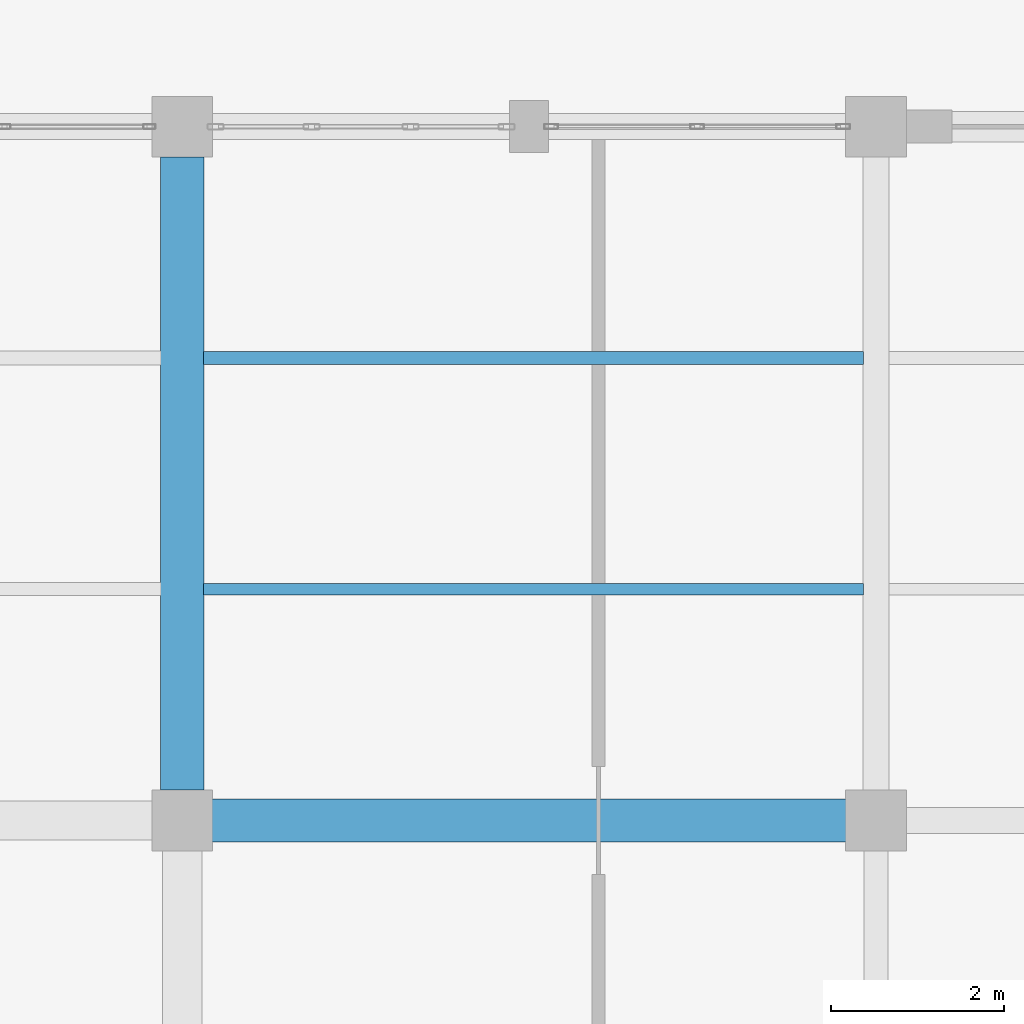
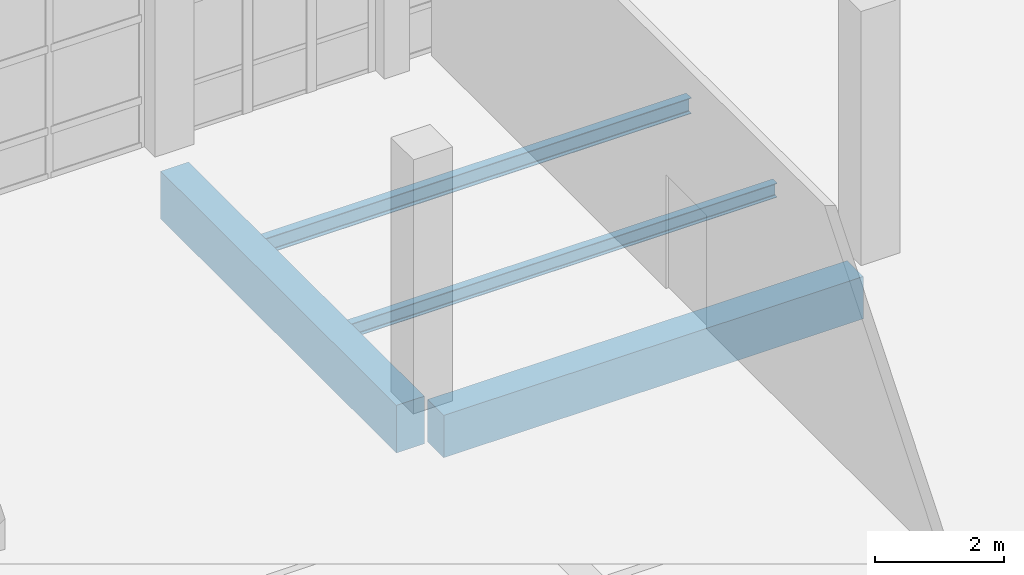
# One storey, part 11 of 156: 4 beams.
"""IFC4 building model written with IfcOpenShell, lengths in metres."""

from ifc_helpers import new_model, si_unit, direction, frame, origin, origin_2d, place, context, subcontext, project, spatial, rectangle, i_section, extrude, material, material_profile, profile_set, type_object, element, save


model = new_model("IFC4")

# Units and contexts
model_context = context("Model", 3, precision=1e-05, world=origin(), true_north=direction((0.0, 1.0)))
body_context = subcontext(model_context, "Body", "Model", "MODEL_VIEW")
ifc_project = project(units=[si_unit("LENGTHUNIT", "METRE"), si_unit("AREAUNIT", "SQUARE_METRE"), si_unit("VOLUMEUNIT", "CUBIC_METRE"), si_unit("PLANEANGLEUNIT", "RADIAN"), si_unit("MASSUNIT", "GRAM", prefix="KILO")], contexts=[model_context])

# Site, building, storey
site_placement = place(None, origin())
site = spatial("IfcSite", under=ifc_project, at=site_placement, CompositionType="ELEMENT")
building_placement = place(site_placement, origin())
building = spatial("IfcBuilding", under=site, at=building_placement, Name="Luwemba Playhouse", CompositionType="ELEMENT")
storey_placement = place(building_placement, origin())
storey = spatial("IfcBuildingStorey", under=building, at=storey_placement, Name="L00", CompositionType="ELEMENT", Elevation=0.0)

# Beams
ifc_material_1 = material(Name="Concrete C40/50", Category="concrete")
ifc_material_profile_1 = material_profile(ifc_material_1, rectangle(XDim=0.5, YDim=0.800048828125, at=origin_2d()))
ifc_profile_set_1 = profile_set([ifc_material_profile_1], Name="Concrete C40/50")
beam_type_1 = type_object("IfcBeamType", Name="BM-RB06", PredefinedType="BEAM", material=ifc_profile_set_1)
beam_1_placement = place(storey_placement, frame((12.25, 19.0, -0.699951171875), z_axis=(1.0, 0.0, 0.0), x_axis=(0.0, 1.0, 0.0)))
element("IfcBeam", 1, at=beam_1_placement, inside=storey, type_object=beam_type_1, Name="L00 grid girder 0165", PredefinedType="BEAM", context=body_context, shape_type="SweptSolid", body=[
    extrude(rectangle(XDim=0.5, YDim=0.800048828125, at=origin_2d()), origin(), (0.0, 0.0, 1.0), 7.5),
])
ifc_material_profile_2 = material_profile(ifc_material_1, rectangle(XDim=0.5, YDim=0.89990234375, at=origin_2d()))
ifc_profile_set_2 = profile_set([ifc_material_profile_2], Name="Concrete C40/50")
beam_type_2 = type_object("IfcBeamType", Name="BM-RB07", PredefinedType="BEAM", material=ifc_profile_set_2)
beam_2_placement = place(storey_placement, frame((12.0, 19.35009765625, -0.75), z_axis=(0.0, 1.0, 0.0), x_axis=(-1.0, 0.0, 0.0)))
element("IfcBeam", 2, at=beam_2_placement, inside=storey, type_object=beam_type_2, Name="L00 transverse girder 0183", PredefinedType="BEAM", context=body_context, shape_type="SweptSolid", body=[
    extrude(rectangle(XDim=0.5, YDim=0.89990234375, at=origin_2d()), origin(), (0.0, 0.0, 1.0), 7.2998046875),
])
ifc_material_2 = material(Name="Steel S355", Category="steel")
ifc_material_profile_3 = material_profile(ifc_material_2, i_section(OverallWidth=0.135009765625, OverallDepth=0.27001953125, WebThickness=0.006591796875, FlangeThickness=0.01025390625, FilletRadius=0.014892578125, at=origin_2d()))
ifc_profile_set_3 = profile_set([ifc_material_profile_3], Name="Steel S355")
beam_type_3 = type_object("IfcBeamType", Name="BM-SJ04", PredefinedType="JOIST", material=ifc_profile_set_3)
beam_3_placement = place(storey_placement, frame((12.24609375, 21.666748046875, -0.43505859375), z_axis=(1.0, 0.0, 0.0), x_axis=(0.0, 1.0, 0.0)))
element("IfcBeam", 3, at=beam_3_placement, inside=storey, type_object=beam_type_3, Name="L00 composite floor joist 0126", PredefinedType="JOIST", context=body_context, shape_type="SweptSolid", body=[
    extrude(i_section(OverallWidth=0.135009765625, OverallDepth=0.27001953125, WebThickness=0.006591796875, FlangeThickness=0.01025390625, FilletRadius=0.014892578125, at=origin_2d()), origin(), (0.0, 0.0, 1.0), 7.60791015625),
])
ifc_material_profile_4 = material_profile(ifc_material_2, i_section(OverallWidth=0.14990234375, OverallDepth=0.300048828125, WebThickness=0.007080078125, FlangeThickness=0.0107421875, FilletRadius=0.014892578125, at=origin_2d()))
ifc_profile_set_4 = profile_set([ifc_material_profile_4], Name="Steel S355")
beam_type_4 = type_object("IfcBeamType", Name="BM-SJ05", PredefinedType="JOIST", material=ifc_profile_set_4)
beam_4_placement = place(storey_placement, frame((12.24609375, 24.333251953125, -0.449951171875), z_axis=(1.0, 0.0, 0.0), x_axis=(0.0, 1.0, 0.0)))
element("IfcBeam", 4, at=beam_4_placement, inside=storey, type_object=beam_type_4, Name="L00 composite floor joist 0127", PredefinedType="JOIST", context=body_context, shape_type="SweptSolid", body=[
    extrude(i_section(OverallWidth=0.14990234375, OverallDepth=0.300048828125, WebThickness=0.007080078125, FlangeThickness=0.0107421875, FilletRadius=0.014892578125, at=origin_2d()), origin(), (0.0, 0.0, 1.0), 7.60791015625),
])

save(model, "model.ifc")
